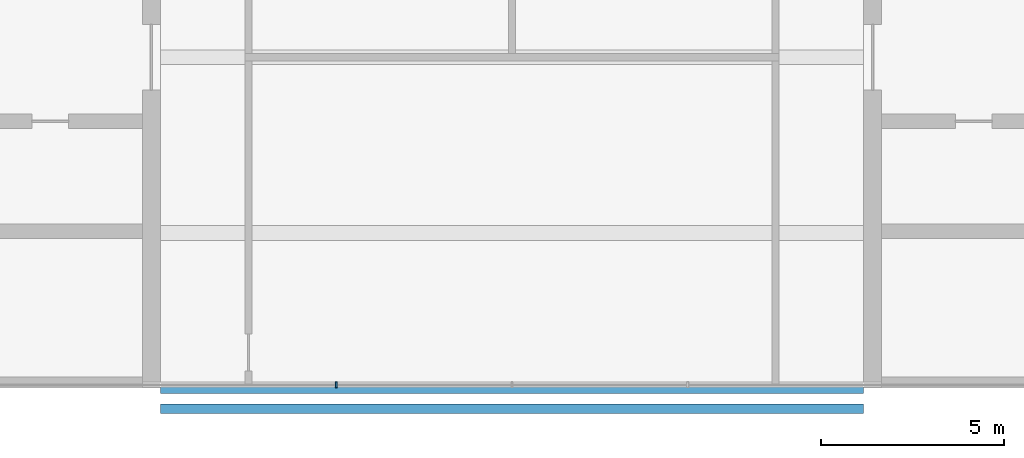
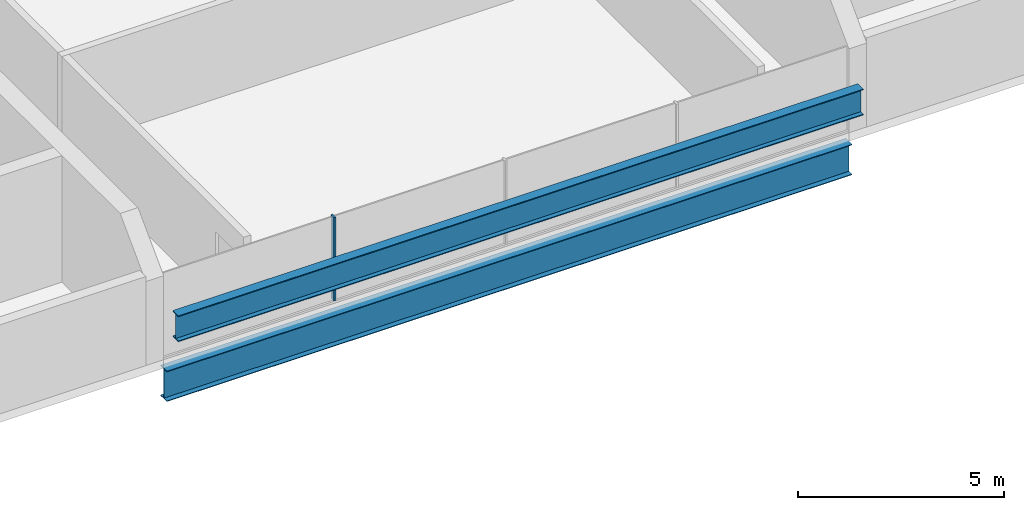
# One storey, part 2 of 12: 2 beams, 1 member, 1 element without a shape of its own.
"""IFC4 building model written with IfcOpenShell, lengths in metres."""

from ifc_helpers import new_model, si_unit, direction, frame, origin, origin_2d, place, context, subcontext, project, spatial, rectangle, i_section, extrude, material, material_profile, profile_set, type_object, element, aggregate, save


model = new_model("IFC4")

# Units and contexts
model_context = context("Model", 3, precision=1e-05, world=origin(), true_north=direction((0.0, 1.0)))
body_context = subcontext(model_context, "Body", "Model", "MODEL_VIEW")
ifc_project = project(units=[si_unit("LENGTHUNIT", "METRE"), si_unit("AREAUNIT", "SQUARE_METRE"), si_unit("VOLUMEUNIT", "CUBIC_METRE"), si_unit("PLANEANGLEUNIT", "RADIAN"), si_unit("MASSUNIT", "GRAM", prefix="KILO")], contexts=[model_context])

# Site, building, storey
site_placement = place(None, origin())
site = spatial("IfcSite", under=ifc_project, at=site_placement, CompositionType="ELEMENT")
building_placement = place(site_placement, origin())
building = spatial("IfcBuilding", under=site, at=building_placement, Name="Baori Bourse Tower", CompositionType="ELEMENT")
storey_placement = place(building_placement, frame((0.0, 0.0, 370.300048828125)))
storey = spatial("IfcBuildingStorey", under=building, at=storey_placement, Name="L83", CompositionType="ELEMENT", Elevation=370.300048828125)

# Curtain wall, member
ifc_material_1 = material(Name="Pale anodised aluminium", Category="aluminium")
curtain_wall_type = type_object("IfcCurtainWallType", Name="CW3 Curtain wall", PredefinedType="NOTDEFINED", material=ifc_material_1)
curtain_wall_placement = place(storey_placement, origin())
curtain_wall = element("IfcCurtainWall", 1, at=curtain_wall_placement, inside=storey, type_object=curtain_wall_type, Name="Curtain wall CW3 L83 1", PredefinedType="NOTDEFINED")
ifc_material_2 = material(Name="Pale anodised aluminium", Category="aluminium")
ifc_material_profile_1 = material_profile(ifc_material_2, rectangle(XDim=0.159912109375, YDim=0.050048828125, at=origin_2d()), Name="Mullion 50x160")
ifc_profile_set_1 = profile_set([ifc_material_profile_1], Name="Pale anodised aluminium")
member_type = type_object("IfcMemberType", Name="CW3 Curtain wall mullion", PredefinedType="MULLION", material=ifc_profile_set_1)
member_placement = place(storey_placement, frame((24.0, 10.2529296875, 0.06005859375), z_axis=(0.0, 0.0, 1.0), x_axis=(0.0, 1.0, 0.0)))
member = element("IfcMember", 2, at=member_placement, type_object=member_type, Name="Curtain wall CW3 mullion", PredefinedType="MULLION", context=body_context, shape_type="SweptSolid", body=[
    extrude(rectangle(XDim=0.159912109375, YDim=0.050048828125, at=origin_2d()), origin(), (0.0, 0.0, 1.0), 2.469970703125),
])
aggregate(curtain_wall, [member])

# Beams
ifc_material_3 = material(Name="Steel A992 Gr 50", Category="steel")
ifc_material_profile_2 = material_profile(ifc_material_3, i_section(OverallWidth=0.3046875, OverallDepth=0.904296875, WebThickness=0.01513671875, FlangeThickness=0.02001953125, at=origin_2d()), Name="W36x135")
ifc_profile_set_2 = profile_set([ifc_material_profile_2], Name="Steel A992 Gr 50")
beam_type_1 = type_object("IfcBeamType", Name="Edge beam W36x135", PredefinedType="BEAM", material=ifc_profile_set_2)
beam_1_placement = place(storey_placement, frame((19.199951171875, 10.1728515625, -0.7021484375), z_axis=(1.0, 0.0, 0.0), x_axis=(0.0, 1.0, 0.0)))
element("IfcBeam", 3, at=beam_1_placement, inside=storey, type_object=beam_type_1, Name="Edge beam L83", PredefinedType="BEAM", context=body_context, shape_type="SweptSolid", body=[
    extrude(i_section(OverallWidth=0.3046875, OverallDepth=0.904296875, WebThickness=0.01513671875, FlangeThickness=0.02001953125, at=origin_2d()), origin(), (0.0, 0.0, 1.0), 19.199951171875),
])
ifc_material_4 = material(Name="Steel A992 Gr 50", Category="steel")
ifc_material_profile_3 = material_profile(ifc_material_4, i_section(OverallWidth=0.2666015625, OverallDepth=0.76953125, WebThickness=0.015625, FlangeThickness=0.025390625, at=origin_2d()), Name="W30x132")
ifc_profile_set_3 = profile_set([ifc_material_profile_3], Name="Steel A992 Gr 50")
beam_type_2 = type_object("IfcBeamType", Name="Roof purlin W30x132", PredefinedType="BEAM", material=ifc_profile_set_3)
beam_2_placement = place(storey_placement, frame((19.199951171875, 9.60009765625, 1.33935546875), z_axis=(1.0, 0.0, 0.0), x_axis=(0.0, 1.0, 0.0)))
element("IfcBeam", 4, at=beam_2_placement, inside=storey, type_object=beam_type_2, Name="Roof purlin Roof", PredefinedType="BEAM", context=body_context, shape_type="SweptSolid", body=[
    extrude(i_section(OverallWidth=0.2666015625, OverallDepth=0.76953125, WebThickness=0.015625, FlangeThickness=0.025390625, at=origin_2d()), origin(), (0.0, 0.0, 1.0), 19.199951171875),
])

save(model, "model.ifc")
